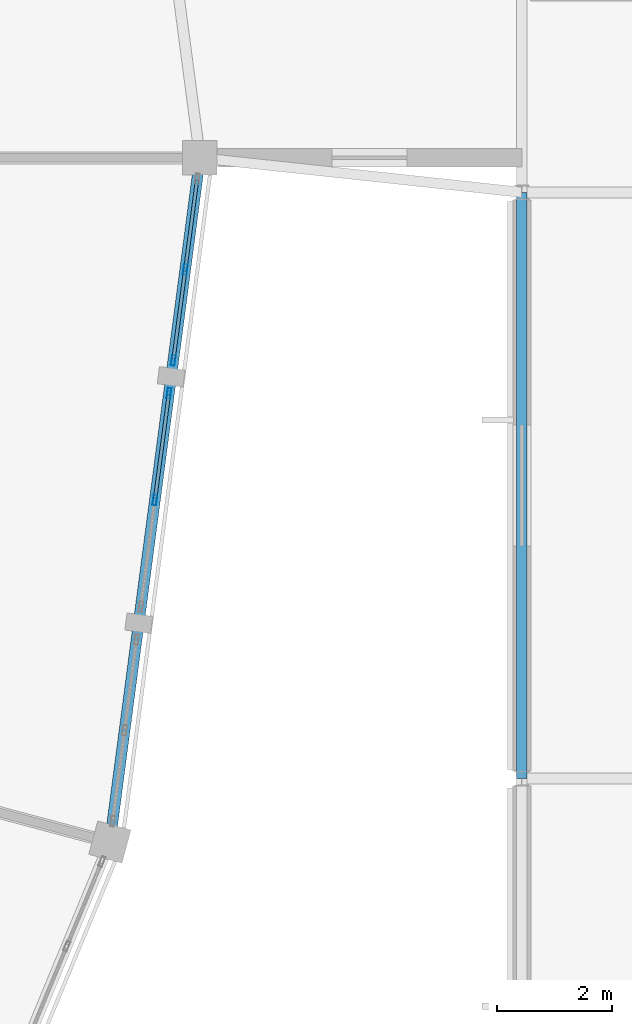
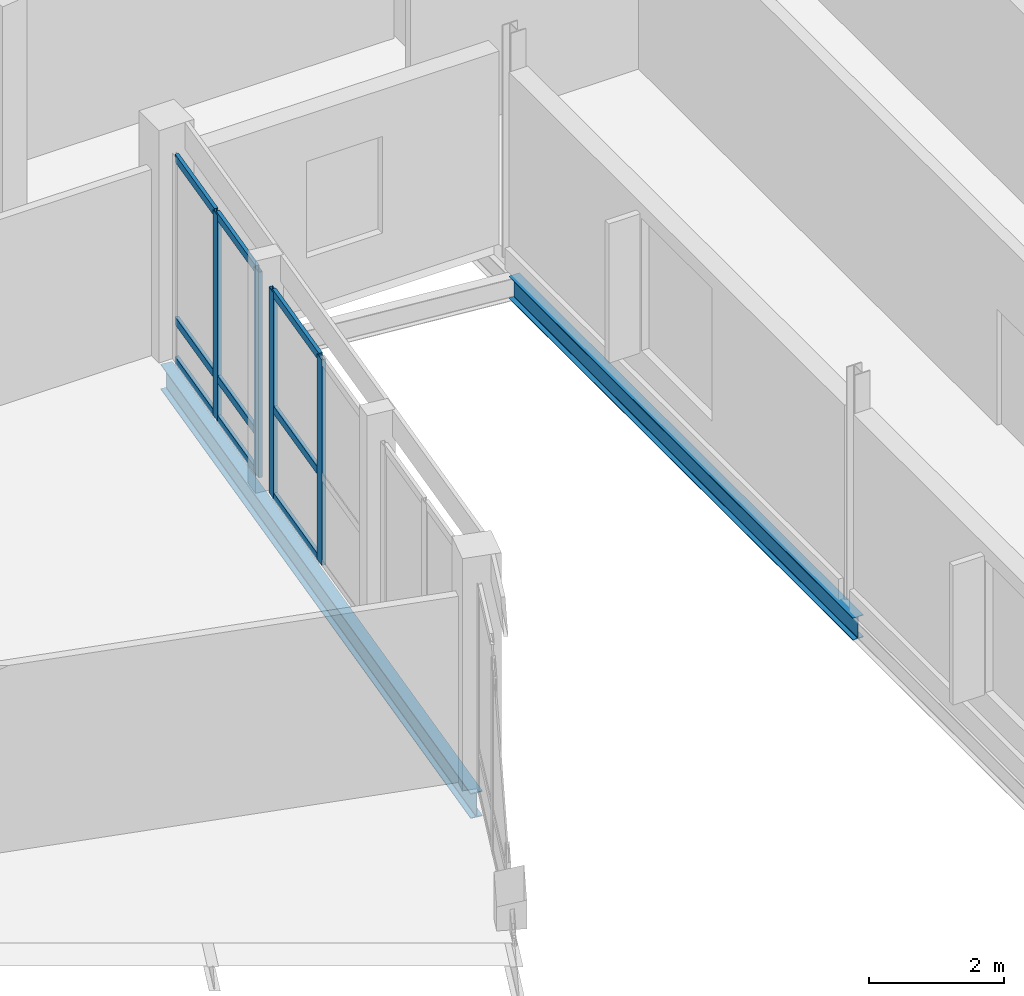
# One storey, part 107 of 170: 13 members, 2 beams, 2 elements without a shape of their own.
"""IFC4 building model written with IfcOpenShell, lengths in metres."""

import ifcopenshell
import ifcopenshell.guid

model = None  # the IFC model being written
_history = None  # IfcOwnerHistory: only IFC2X3 demands one
_inside = {}  # id of a spatial element -> (the spatial element, [elements in it])
_under = {}  # id of a project, library or spatial element -> (it, [spatial elements below it])
_declared = {}  # id of a project -> (the project, [libraries it declares])
_typed = {}  # id of a type object -> (the type object, [elements of that type])
_made_of = {}  # id of a material, layer set ... -> (it, [elements and type objects made of it])


def new_model(schema):
    """Start an empty IFC model of exactly this schema.

    Asked for "IFC4X3", IfcOpenShell would pick the latest addendum, in which some entities
    have other attributes; the version numbers below select the first issue.
    IFC2X3 requires an IfcOwnerHistory on every rooted entity: one is made here for all.
    """
    global model, _history
    if schema == "IFC4X3":
        model = ifcopenshell.file(schema_version=(4, 3, 0, 0))
    else:
        model = ifcopenshell.file(schema=schema)
    _inside.clear()
    _under.clear()
    _declared.clear()
    _typed.clear()
    _made_of.clear()
    _history = None
    if model.schema == "IFC2X3":
        org = make("IfcOrganization", Name="unknown")
        user = make(
            "IfcPersonAndOrganization",
            ThePerson=make("IfcPerson", FamilyName="unknown"),
            TheOrganization=org,
        )
        app = make(
            "IfcApplication",
            ApplicationDeveloper=org,
            Version="unknown",
            ApplicationFullName="unknown",
            ApplicationIdentifier="unknown",
        )
        _history = make(
            "IfcOwnerHistory",
            OwningUser=user,
            OwningApplication=app,
            ChangeAction="ADDED",
            CreationDate=0,
        )
    return model


def make(cls, **values):
    """One entity of the class cls with the attributes given. An attribute that is None is left unset."""
    return model.create_entity(
        cls, **{name: value for name, value in values.items() if value is not None}
    )


def rooted(cls, **values):
    """An entity with a GlobalId (a new one), such as an element, a storey or a relation."""
    return make(cls, GlobalId=ifcopenshell.guid.new(), OwnerHistory=_history, **values)


def si_unit(unit_type, name, prefix=None):
    """IfcSIUnit, for example si_unit("LENGTHUNIT", "METRE", prefix="MILLI")."""
    return make("IfcSIUnit", UnitType=unit_type, Prefix=prefix, Name=name)


def assignment(units):
    """IfcUnitAssignment: the units of a project."""
    return None if units is None else make("IfcUnitAssignment", Units=units)


def point(xyz):
    """IfcCartesianPoint."""
    return None if xyz is None else make("IfcCartesianPoint", Coordinates=xyz)


def direction(xyz):
    """IfcDirection."""
    return None if xyz is None else make("IfcDirection", DirectionRatios=xyz)


def frame(location, z_axis=None, x_axis=None):
    """IfcAxis2Placement3D, a coordinate frame: its origin and axes. An axis left out is left unset."""
    return make(
        "IfcAxis2Placement3D",
        Location=point(location),
        Axis=direction(z_axis),
        RefDirection=direction(x_axis),
    )


def frame_2d(location, x_axis=None):
    """IfcAxis2Placement2D, a coordinate frame in the plane: its origin and x axis."""
    return make(
        "IfcAxis2Placement2D", Location=point(location), RefDirection=direction(x_axis)
    )


def origin():
    """The frame at (0, 0, 0) with its axes left unset."""
    return frame((0.0, 0.0, 0.0))


def origin_2d():
    """The frame at (0, 0) in the plane with its x axis left unset."""
    return frame_2d((0.0, 0.0))


def place(relative_to, where):
    """IfcLocalPlacement: puts the frame where relative to a parent placement (None: the world)."""
    return make(
        "IfcLocalPlacement", PlacementRelTo=relative_to, RelativePlacement=where
    )


def context(
    kind, dimensions, precision=None, world=None, true_north=None, identifier=None
):
    """IfcGeometricRepresentationContext, for example the 3D "Model" context."""
    return make(
        "IfcGeometricRepresentationContext",
        ContextIdentifier=identifier,
        ContextType=kind,
        CoordinateSpaceDimension=dimensions,
        Precision=precision,
        WorldCoordinateSystem=world,
        TrueNorth=true_north,
    )


def subcontext(parent, identifier, kind, view, scale=None):
    """IfcGeometricRepresentationSubContext, for example "Body" below "Model"."""
    return make(
        "IfcGeometricRepresentationSubContext",
        ContextIdentifier=identifier,
        ContextType=kind,
        ParentContext=parent,
        TargetScale=scale,
        TargetView=view,
    )


def project(units=None, contexts=None):
    """IfcProject with its units and contexts."""
    return rooted(
        "IfcProject",
        Name="project",
        RepresentationContexts=contexts,
        UnitsInContext=assignment(units),
    )


def spatial(cls, under=None, at=None, **own):
    """A site, building, storey or space (cls), placed at a placement, below another one or the project."""
    s = rooted(cls, ObjectPlacement=at, **own)
    if under is not None:
        _under.setdefault(under.id(), (under, []))[1].append(s)
    return s


def profile(cls, at=None, kind="AREA", **sizes):
    """A parametric profile (cls). Its sizes go by their IFC names, for example OverallWidth=200.0."""
    return make(cls, ProfileType=kind, Position=at, **sizes)


def hollow_rectangle(**sizes):
    """IfcRectangleHollowProfileDef."""
    return profile("IfcRectangleHollowProfileDef", **sizes)


def i_section(**sizes):
    """IfcIShapeProfileDef."""
    return profile("IfcIShapeProfileDef", **sizes)


def extrude(swept, where, along, depth):
    """IfcExtrudedAreaSolid: the profile swept, set in the frame where, extruded along a direction by depth."""
    return make(
        "IfcExtrudedAreaSolid",
        SweptArea=swept,
        Position=where,
        ExtrudedDirection=direction(along),
        Depth=depth,
    )


def shape(context_of_items, identifier, shape_type, items):
    """IfcShapeRepresentation: the items that make up one representation, for example the "Body"."""
    return make(
        "IfcShapeRepresentation",
        ContextOfItems=context_of_items,
        RepresentationIdentifier=identifier,
        RepresentationType=shape_type,
        Items=items,
    )


def material(Name=None, Category=None):
    """IfcMaterial."""
    return make("IfcMaterial", Name=Name, Category=Category)


def material_profile(
    of_material, cross_section, Name=None, Category=None, Priority=None
):
    """IfcMaterialProfile: a cross section and its material."""
    return make(
        "IfcMaterialProfile",
        Name=Name,
        Material=of_material,
        Profile=cross_section,
        Priority=Priority,
        Category=Category,
    )


def profile_set(profiles, Name=None, composite=None):
    """IfcMaterialProfileSet."""
    return make(
        "IfcMaterialProfileSet",
        Name=Name,
        MaterialProfiles=profiles,
        CompositeProfile=composite,
    )


def made_of(thing, what):
    """Note that an element or type object is made of a material, layer set ...; save() writes the relation."""
    if what is not None:
        _made_of.setdefault(what.id(), (what, []))[1].append(thing)
    return thing


def type_object(cls, material=None, **own):
    """A type object (cls), such as IfcWallType, which elements share."""
    return made_of(rooted(cls, **own), material)


def element(
    cls,
    number,
    at=None,
    inside=None,
    cuts=None,
    type_object=None,
    material=None,
    context=None,
    identifier="Body",
    shape_type=None,
    held_by="IfcProductDefinitionShape",
    body=None,
    shapes=None,
    **own,
):
    """One element of the class cls, such as IfcWall. Its Tag is "e" and its number.

    at: its placement. inside: the storey or other place that contains it. cuts: it is an
    opening in that element (IfcRelVoidsElement). A single representation is given by context,
    identifier, shape_type and body (its items); several are given by shapes. held_by: the class
    of the entity that holds the representations. save() writes the other relations.
    """
    e = rooted(cls, Tag="e%d" % number, ObjectPlacement=at, **own)
    if body is not None:
        shapes = [shape(context, identifier, shape_type, body)]
    if shapes is not None:
        e.Representation = make(held_by, Representations=shapes)
    if inside is not None:
        _inside.setdefault(inside.id(), (inside, []))[1].append(e)
    if cuts is not None:
        rooted(
            "IfcRelVoidsElement", RelatingBuildingElement=cuts, RelatedOpeningElement=e
        )
    if type_object is not None:
        _typed.setdefault(type_object.id(), (type_object, []))[1].append(e)
    return made_of(e, material)


def aggregate(whole, parts):
    """IfcRelAggregates: a whole, such as a stair, and the parts it consists of."""
    return rooted("IfcRelAggregates", RelatingObject=whole, RelatedObjects=parts)


def save(model, path):
    """Write the relations noted so far, then the file.

    IfcRelAggregates (storeys below a building ...), IfcRelContainedInSpatialStructure (elements
    in a storey), IfcRelDefinesByType, IfcRelAssociatesMaterial and IfcRelDeclares: one each for
    every whole, place, type object, material and project.
    """
    for whole, parts in _under.values():
        aggregate(whole, parts)
    for where, things in _inside.values():
        rooted(
            "IfcRelContainedInSpatialStructure",
            RelatedElements=things,
            RelatingStructure=where,
        )
    for kind, things in _typed.values():
        rooted("IfcRelDefinesByType", RelatedObjects=things, RelatingType=kind)
    for what, things in _made_of.values():
        rooted("IfcRelAssociatesMaterial", RelatedObjects=things, RelatingMaterial=what)
    for by, libraries in _declared.values():
        rooted("IfcRelDeclares", RelatingContext=by, RelatedDefinitions=libraries)
    model.write(path)


model = new_model("IFC4")

# Units and contexts
model_context = context("Model", 3, precision=1e-05, world=origin(), true_north=direction((0.0, 1.0)))
body_context = subcontext(model_context, "Body", "Model", "MODEL_VIEW")
ifc_project = project(units=[si_unit("LENGTHUNIT", "METRE"), si_unit("AREAUNIT", "SQUARE_METRE"), si_unit("VOLUMEUNIT", "CUBIC_METRE"), si_unit("PLANEANGLEUNIT", "RADIAN"), si_unit("MASSUNIT", "GRAM", prefix="KILO")], contexts=[model_context])

# Site, building, storey
site_placement = place(None, origin())
site = spatial("IfcSite", under=ifc_project, at=site_placement, CompositionType="ELEMENT")
building_placement = place(site_placement, origin())
building = spatial("IfcBuilding", under=site, at=building_placement, Name="Vondelvale Polytechnic", CompositionType="ELEMENT")
storey_placement = place(building_placement, frame((0.0, 0.0, 5.39990234375)))
storey = spatial("IfcBuildingStorey", under=building, at=storey_placement, Name="L01", CompositionType="ELEMENT", Elevation=5.39990234375)

# Beams
ifc_material_1 = material(Name="Steel 300PLUS (fy = 300 MPa)", Category="steel")
ifc_material_profile_1 = material_profile(ifc_material_1, i_section(OverallWidth=0.177978515625, OverallDepth=0.406005859375, WebThickness=0.0078125, FlangeThickness=0.0126953125, FilletRadius=0.011474609375, at=origin_2d()), Name="410UB59.7")
ifc_profile_set_1 = profile_set([ifc_material_profile_1], Name="Steel 300PLUS (fy = 300 MPa)")
beam_type_1 = type_object("IfcBeamType", Name="BM-UB410", PredefinedType="BEAM", material=ifc_profile_set_1)
beam_1_placement = place(storey_placement, frame((153.60009765625, 61.199951171875, -0.48291015625), z_axis=(0.0, 1.0, 0.0), x_axis=(-1.0, 0.0, 0.0)))
element("IfcBeam", 1, at=beam_1_placement, inside=storey, type_object=beam_type_1, Name="L01 B B-14", PredefinedType="BEAM", context=body_context, shape_type="SweptSolid", body=[
    extrude(i_section(OverallWidth=0.177978515625, OverallDepth=0.406005859375, WebThickness=0.0078125, FlangeThickness=0.0126953125, FilletRadius=0.011474609375, at=origin_2d()), origin(), (0.0, 0.0, 1.0), 10.199951171875),
])
ifc_material_profile_2 = material_profile(ifc_material_1, i_section(OverallWidth=0.18994140625, OverallDepth=0.45703125, WebThickness=0.009033203125, FlangeThickness=0.014404296875, FilletRadius=0.011474609375, at=origin_2d()), Name="460UB74.6")
ifc_profile_set_2 = profile_set([ifc_material_profile_2], Name="Steel 300PLUS (fy = 300 MPa)")
beam_type_2 = type_object("IfcBeamType", Name="BM-UB460", PredefinedType="BEAM", material=ifc_profile_set_2)
beam_2_placement = place(storey_placement, frame((146.4326171875, 60.09423828125, -0.50830078125), z_axis=(0.130522880875, 0.991445297315, 0.0), x_axis=(-0.991445297315, 0.130522880875, 0.0)))
element("IfcBeam", 2, at=beam_2_placement, inside=storey, type_object=beam_type_2, Name="L01 RB B-13", PredefinedType="BEAM", context=body_context, shape_type="SweptSolid", body=[
    extrude(i_section(OverallWidth=0.18994140625, OverallDepth=0.45703125, WebThickness=0.009033203125, FlangeThickness=0.014404296875, FilletRadius=0.011474609375, at=origin_2d()), origin(), (0.0, 0.0, 1.0), 12.008544921875),
])

# Curtain wall, members
ifc_material_2 = material(Name="Glulam GL18 structural Tasmanian oak (fb = 42 MPa)", Category="wood")
curtain_wall_type = type_object("IfcCurtainWallType", Name="CW-RING-OUTER", PredefinedType="NOTDEFINED", material=ifc_material_2)
curtain_wall_1_placement = place(storey_placement, origin())
curtain_wall_1 = element("IfcCurtainWall", 3, at=curtain_wall_1_placement, inside=storey, type_object=curtain_wall_type, Name="L01 architectural curtain wall CW-04-376", PredefinedType="NOTDEFINED")
ifc_material_3 = material(Name="Anodised extruded aluminium 6063-T6", Category="aluminium")
ifc_material_profile_3 = material_profile(ifc_material_3, hollow_rectangle(XDim=0.06494140625, YDim=0.179931640625, WallThickness=0.00390625, at=origin_2d()), Name="CW-MUL-180x65")
ifc_profile_set_3 = profile_set([ifc_material_profile_3], Name="Anodised extruded aluminium 6063-T6")
member_type_1 = type_object("IfcMemberType", Name="CW-MUL-65x180", PredefinedType="MULLION", material=ifc_profile_set_3)
member_1_placement = place(storey_placement, frame((147.21630859375, 66.047119140625, 0.0), z_axis=(0.0, 0.0, 1.0), x_axis=(-0.991448671082, 0.130497251349, 0.0)))
member_1 = element("IfcMember", 4, at=member_1_placement, type_object=member_type_1, Name="CW-04-376 mullion 2", PredefinedType="MULLION", context=body_context, shape_type="SweptSolid", body=[
    extrude(hollow_rectangle(XDim=0.06494140625, YDim=0.179931640625, WallThickness=0.00390625, at=origin_2d()), origin(), (0.0, 0.0, 1.0), 3.72021484375),
])
member_2_placement = place(storey_placement, frame((147.4609375, 67.9052734375, 0.0), z_axis=(0.0, 0.0, 1.0), x_axis=(-0.991448671082, 0.130497251349, 0.0)))
member_2 = element("IfcMember", 5, at=member_2_placement, type_object=member_type_1, Name="CW-04-376 mullion 3", PredefinedType="MULLION", context=body_context, shape_type="SweptSolid", body=[
    extrude(hollow_rectangle(XDim=0.06494140625, YDim=0.179931640625, WallThickness=0.00390625, at=origin_2d()), origin(), (0.0, 0.0, 1.0), 3.72021484375),
])

curtain_wall_2_placement = place(storey_placement, origin())
curtain_wall_2 = element("IfcCurtainWall", 6, at=curtain_wall_2_placement, inside=storey, type_object=curtain_wall_type, Name="L01 architectural curtain wall CW-04-377", PredefinedType="NOTDEFINED")
member_3_placement = place(storey_placement, frame((147.535888671875, 68.475341796875, 0.0), z_axis=(0.0, 0.0, 1.0), x_axis=(-0.991443102996, 0.130539547729, 0.0)))
member_3 = element("IfcMember", 7, at=member_3_placement, type_object=member_type_1, Name="CW-04-377 mullion 1", PredefinedType="MULLION", context=body_context, shape_type="SweptSolid", body=[
    extrude(hollow_rectangle(XDim=0.06494140625, YDim=0.179931640625, WallThickness=0.00390625, at=origin_2d()), origin(), (0.0, 0.0, 1.0), 3.72021484375),
])
member_4_placement = place(storey_placement, frame((147.744140625, 70.056640625, 0.0), z_axis=(0.0, 0.0, 1.0), x_axis=(-0.991443102996, 0.130539547729, 0.0)))
member_4 = element("IfcMember", 8, at=member_4_placement, type_object=member_type_1, Name="CW-04-377 mullion 2", PredefinedType="MULLION", context=body_context, shape_type="SweptSolid", body=[
    extrude(hollow_rectangle(XDim=0.06494140625, YDim=0.179931640625, WallThickness=0.00390625, at=origin_2d()), origin(), (0.0, 0.0, 1.0), 3.72021484375),
])

# Member
ifc_material_profile_4 = material_profile(ifc_material_3, hollow_rectangle(XDim=0.06005859375, YDim=0.139892578125, WallThickness=0.00341796875, at=origin_2d()), Name="CW-TRN-140x60")
ifc_profile_set_4 = profile_set([ifc_material_profile_4], Name="Anodised extruded aluminium 6063-T6")
member_type_2 = type_object("IfcMemberType", Name="CW-TRN-60x140", PredefinedType="USERDEFINED", material=ifc_profile_set_4)
member_5_placement = place(storey_placement, frame((147.220458984375, 66.079345703125, 0.030029296875), z_axis=(0.130492911033, 0.991449242357, 0.0), x_axis=(-0.991449242357, 0.130492911033, 0.0)))
member_5 = element("IfcMember", 9, at=member_5_placement, type_object=member_type_2, Name="CW-04-376 transom 2.1", ObjectType="TRANSOM", PredefinedType="USERDEFINED", context=body_context, shape_type="SweptSolid", body=[
    extrude(hollow_rectangle(XDim=0.06005859375, YDim=0.139892578125, WallThickness=0.00341796875, at=origin_2d()), origin(), (0.0, 0.0, 1.0), 1.80908203125),
])

member_6_placement = place(storey_placement, frame((147.220458984375, 66.079345703125, 1.60009765625), z_axis=(0.130492911033, 0.991449242357, 0.0), x_axis=(-0.991449242357, 0.130492911033, 0.0)))
member_6 = element("IfcMember", 10, at=member_6_placement, type_object=member_type_2, Name="CW-04-376 transom 2.2", ObjectType="TRANSOM", PredefinedType="USERDEFINED", context=body_context, shape_type="SweptSolid", body=[
    extrude(hollow_rectangle(XDim=0.06005859375, YDim=0.139892578125, WallThickness=0.00341796875, at=origin_2d()), origin(), (0.0, 0.0, 1.0), 1.80908203125),
])

member_7_placement = place(storey_placement, frame((147.220458984375, 66.079345703125, 3.690185546875), z_axis=(0.130492911033, 0.991449242357, 0.0), x_axis=(-0.991449242357, 0.130492911033, 0.0)))
member_7 = element("IfcMember", 11, at=member_7_placement, type_object=member_type_2, Name="CW-04-376 transom 2.3", ObjectType="TRANSOM", PredefinedType="USERDEFINED", context=body_context, shape_type="SweptSolid", body=[
    extrude(hollow_rectangle(XDim=0.06005859375, YDim=0.139892578125, WallThickness=0.00341796875, at=origin_2d()), origin(), (0.0, 0.0, 1.0), 1.80908203125),
])

aggregate(curtain_wall_1, [member_1, member_2, member_5, member_6, member_7])

member_8_placement = place(storey_placement, frame((147.540283203125, 68.50732421875, 0.030029296875), z_axis=(0.130512293736, 0.991446691045, 0.0), x_axis=(-0.991446691045, 0.130512293736, 0.0)))
member_8 = element("IfcMember", 12, at=member_8_placement, type_object=member_type_2, Name="CW-04-377 transom 1.1", ObjectType="TRANSOM", PredefinedType="USERDEFINED", context=body_context, shape_type="SweptSolid", body=[
    extrude(hollow_rectangle(XDim=0.06005859375, YDim=0.139892578125, WallThickness=0.00341796875, at=origin_2d()), origin(), (0.0, 0.0, 1.0), 1.5302734375),
])

member_9_placement = place(storey_placement, frame((147.540283203125, 68.50732421875, 0.75), z_axis=(0.130512293736, 0.991446691045, 0.0), x_axis=(-0.991446691045, 0.130512293736, 0.0)))
member_9 = element("IfcMember", 13, at=member_9_placement, type_object=member_type_2, Name="CW-04-377 transom 1.2", ObjectType="TRANSOM", PredefinedType="USERDEFINED", context=body_context, shape_type="SweptSolid", body=[
    extrude(hollow_rectangle(XDim=0.06005859375, YDim=0.139892578125, WallThickness=0.00341796875, at=origin_2d()), origin(), (0.0, 0.0, 1.0), 1.5302734375),
])

member_10_placement = place(storey_placement, frame((147.540283203125, 68.50732421875, 3.690185546875), z_axis=(0.130512293736, 0.991446691045, 0.0), x_axis=(-0.991446691045, 0.130512293736, 0.0)))
member_10 = element("IfcMember", 14, at=member_10_placement, type_object=member_type_2, Name="CW-04-377 transom 1.3", ObjectType="TRANSOM", PredefinedType="USERDEFINED", context=body_context, shape_type="SweptSolid", body=[
    extrude(hollow_rectangle(XDim=0.06005859375, YDim=0.139892578125, WallThickness=0.00341796875, at=origin_2d()), origin(), (0.0, 0.0, 1.0), 1.5302734375),
])

member_11_placement = place(storey_placement, frame((147.748291015625, 70.0888671875, 0.030029296875), z_axis=(0.130532942165, 0.991443972703, 0.0), x_axis=(-0.991443972703, 0.130532942165, 0.0)))
member_11 = element("IfcMember", 15, at=member_11_placement, type_object=member_type_2, Name="CW-04-377 transom 2.1", ObjectType="TRANSOM", PredefinedType="USERDEFINED", context=body_context, shape_type="SweptSolid", body=[
    extrude(hollow_rectangle(XDim=0.06005859375, YDim=0.139892578125, WallThickness=0.00341796875, at=origin_2d()), origin(), (0.0, 0.0, 1.0), 1.530029296875),
])

member_12_placement = place(storey_placement, frame((147.748291015625, 70.0888671875, 0.75), z_axis=(0.130532942165, 0.991443972703, 0.0), x_axis=(-0.991443972703, 0.130532942165, 0.0)))
member_12 = element("IfcMember", 16, at=member_12_placement, type_object=member_type_2, Name="CW-04-377 transom 2.2", ObjectType="TRANSOM", PredefinedType="USERDEFINED", context=body_context, shape_type="SweptSolid", body=[
    extrude(hollow_rectangle(XDim=0.06005859375, YDim=0.139892578125, WallThickness=0.00341796875, at=origin_2d()), origin(), (0.0, 0.0, 1.0), 1.530029296875),
])

member_13_placement = place(storey_placement, frame((147.748291015625, 70.0888671875, 3.690185546875), z_axis=(0.130532942165, 0.991443972703, 0.0), x_axis=(-0.991443972703, 0.130532942165, 0.0)))
member_13 = element("IfcMember", 17, at=member_13_placement, type_object=member_type_2, Name="CW-04-377 transom 2.3", ObjectType="TRANSOM", PredefinedType="USERDEFINED", context=body_context, shape_type="SweptSolid", body=[
    extrude(hollow_rectangle(XDim=0.06005859375, YDim=0.139892578125, WallThickness=0.00341796875, at=origin_2d()), origin(), (0.0, 0.0, 1.0), 1.530029296875),
])

aggregate(curtain_wall_2, [member_3, member_4, member_8, member_9, member_10, member_11, member_12, member_13])

save(model, "model.ifc")
